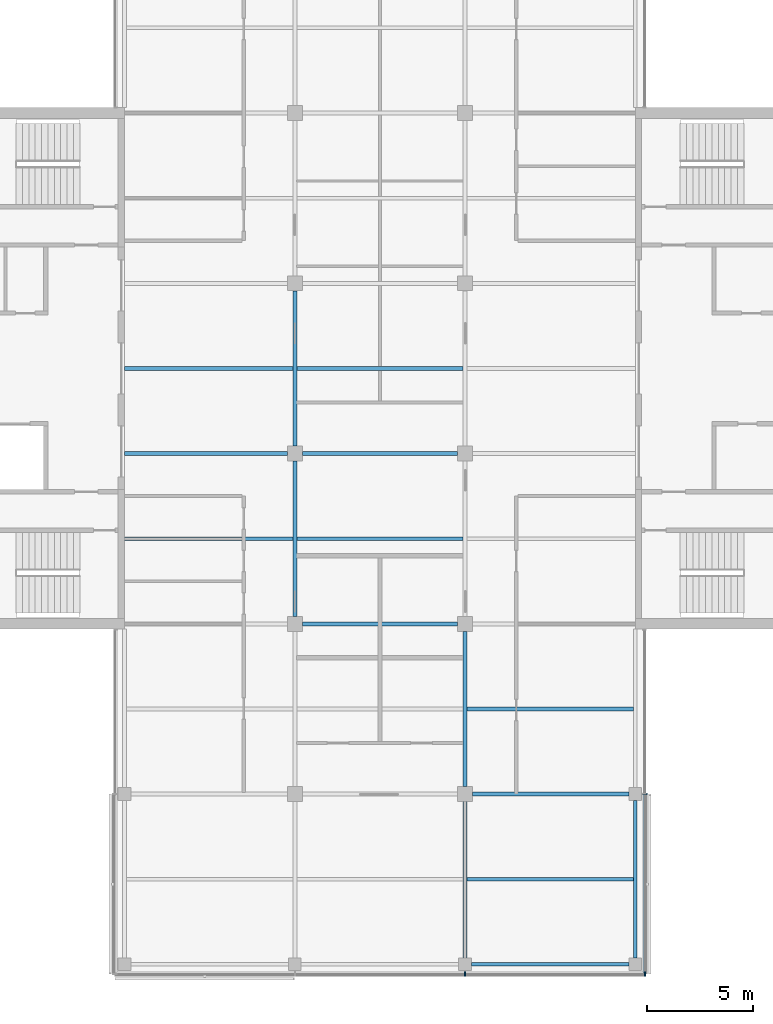
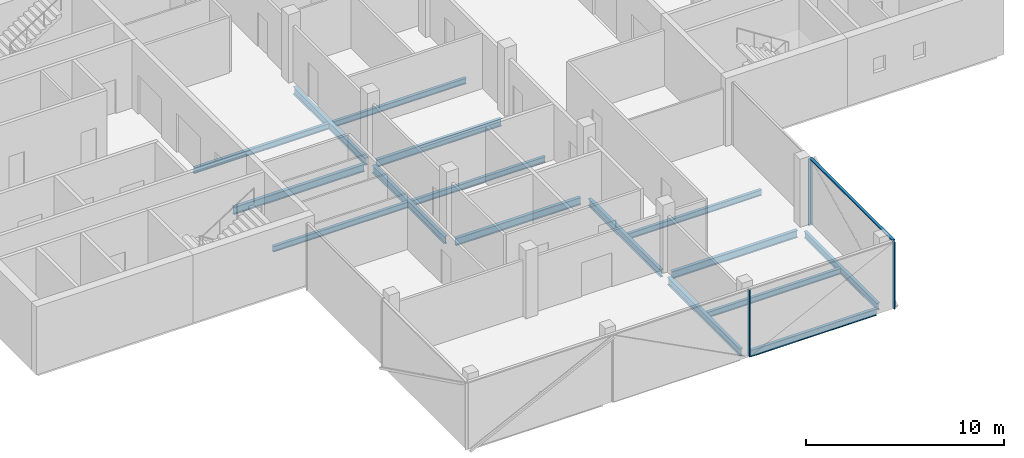
# One storey, part 3 of 16: 16 beams, 4 members, 2 elements without a shape of their own.
"""IFC4 building model written with IfcOpenShell, lengths in metres."""

from ifc_helpers import new_model, si_unit, direction, frame, origin, origin_2d, place, context, subcontext, project, spatial, rectangle, i_section, extrude, material, material_profile, profile_set, type_object, element, aggregate, save


model = new_model("IFC4")

# Units and contexts
model_context = context("Model", 3, precision=1e-05, world=origin(), true_north=direction((0.0, 1.0)))
body_context = subcontext(model_context, "Body", "Model", "MODEL_VIEW")
ifc_project = project(units=[si_unit("LENGTHUNIT", "METRE"), si_unit("AREAUNIT", "SQUARE_METRE"), si_unit("VOLUMEUNIT", "CUBIC_METRE"), si_unit("PLANEANGLEUNIT", "RADIAN"), si_unit("MASSUNIT", "GRAM", prefix="KILO")], contexts=[model_context])

# Site, building, storey
site_placement = place(None, origin())
site = spatial("IfcSite", under=ifc_project, at=site_placement, CompositionType="ELEMENT")
building_placement = place(site_placement, origin())
building = spatial("IfcBuilding", under=site, at=building_placement, Name="Crosswind Convention Tower", CompositionType="ELEMENT")
storey_placement = place(building_placement, frame((0.0, 0.0, 278.699951171875)))
storey = spatial("IfcBuildingStorey", under=building, at=storey_placement, Name="L60", CompositionType="ELEMENT", Elevation=278.699951171875)

# Beams
ifc_material_1 = material(Name="Steel S355", Category="steel")
ifc_material_profile_1 = material_profile(ifc_material_1, i_section(OverallWidth=0.177734375, OverallDepth=0.406494140625, WebThickness=0.0078125, FlangeThickness=0.0126953125, FilletRadius=0.01025390625, at=origin_2d()), Name="UB 406x178x60")
ifc_profile_set_1 = profile_set([ifc_material_profile_1], Name="Steel S355")
beam_type_1 = type_object("IfcBeamType", Name="Edge beam UB 406x178x60", PredefinedType="SPANDREL", material=ifc_profile_set_1)
for number, where, z_axis, x_axis, name in (
    (1, (129.300048828125, 72.0, -0.503173828125), (1.0, 0.0, 0.0), (0.0, 1.0, 0.0), "B15 L60 edge beam 9"),
    (2, (137.0, 72.300048828125, -0.503173828125), (0.0, 1.0, 0.0), (-1.0, 0.0, 0.0), "B15 L60 edge beam 11"),
):
    element("IfcBeam", number, at=place(storey_placement, frame(where, z_axis=z_axis, x_axis=x_axis)), inside=storey, type_object=beam_type_1, Name=name, PredefinedType="SPANDREL", context=body_context, shape_type="SweptSolid", body=[
        extrude(i_section(OverallWidth=0.177734375, OverallDepth=0.406494140625, WebThickness=0.0078125, FlangeThickness=0.0126953125, FilletRadius=0.01025390625, at=origin_2d()), origin(), (0.0, 0.0, 1.0), 7.39990234375),
    ])
ifc_material_profile_2 = material_profile(ifc_material_1, i_section(OverallWidth=0.18994140625, OverallDepth=0.45361328125, WebThickness=0.008544921875, FlangeThickness=0.0126953125, FilletRadius=0.01025390625, at=origin_2d()), Name="UB 457x191x67")
ifc_profile_set_2 = profile_set([ifc_material_profile_2], Name="Steel S355")
beam_type_2 = type_object("IfcBeamType", Name="Girder UB 457x191x67", PredefinedType="BEAM", material=ifc_profile_set_2)
for number, where, z_axis, x_axis, name in (
    (3, (121.0, 88.35009765625, -0.52685546875), (0.0, 1.0, 0.0), (-1.0, 0.0, 0.0), "B1 L60 girder 5"),
    (4, (121.0, 96.35009765625, -0.52685546875), (0.0, 1.0, 0.0), (-1.0, 0.0, 0.0), "B1 L60 girder 6"),
    (5, (121.35009765625, 88.0, -0.52685546875), (1.0, 0.0, 0.0), (0.0, 1.0, 0.0), "B1 L60 girder 11"),
    (6, (121.35009765625, 96.0, -0.52685546875), (1.0, 0.0, 0.0), (0.0, 1.0, 0.0), "B1 L60 girder 12"),
):
    element("IfcBeam", number, at=place(storey_placement, frame(where, z_axis=z_axis, x_axis=x_axis)), inside=storey, type_object=beam_type_2, Name=name, PredefinedType="BEAM", context=body_context, shape_type="SweptSolid", body=[
        extrude(i_section(OverallWidth=0.18994140625, OverallDepth=0.45361328125, WebThickness=0.008544921875, FlangeThickness=0.0126953125, FilletRadius=0.01025390625, at=origin_2d()), origin(), (0.0, 0.0, 1.0), 7.2998046875),
    ])
beam_1_placement = place(storey_placement, frame((129.0, 72.300048828125, -0.52685546875), z_axis=(0.0, 1.0, 0.0), x_axis=(-1.0, 0.0, 0.0)))
element("IfcBeam", 7, at=beam_1_placement, inside=storey, type_object=beam_type_2, Name="B1 L60 girder 16", PredefinedType="BEAM", context=body_context, shape_type="SweptSolid", body=[
    extrude(i_section(OverallWidth=0.18994140625, OverallDepth=0.45361328125, WebThickness=0.008544921875, FlangeThickness=0.0126953125, FilletRadius=0.01025390625, at=origin_2d()), origin(), (0.0, 0.0, 1.0), 7.349853515625),
])
beam_2_placement = place(storey_placement, frame((129.0, 80.35009765625, -0.52685546875), z_axis=(0.0, 1.0, 0.0), x_axis=(-1.0, 0.0, 0.0)))
element("IfcBeam", 8, at=beam_2_placement, inside=storey, type_object=beam_type_2, Name="B1 L60 girder 17", PredefinedType="BEAM", context=body_context, shape_type="SweptSolid", body=[
    extrude(i_section(OverallWidth=0.18994140625, OverallDepth=0.45361328125, WebThickness=0.008544921875, FlangeThickness=0.0126953125, FilletRadius=0.01025390625, at=origin_2d()), origin(), (0.0, 0.0, 1.0), 7.2998046875),
])
beam_3_placement = place(storey_placement, frame((129.35009765625, 80.0, -0.52685546875), z_axis=(1.0, 0.0, 0.0), x_axis=(0.0, 1.0, 0.0)))
element("IfcBeam", 9, at=beam_3_placement, inside=storey, type_object=beam_type_2, Name="B1 L60 girder 23", PredefinedType="BEAM", context=body_context, shape_type="SweptSolid", body=[
    extrude(i_section(OverallWidth=0.18994140625, OverallDepth=0.45361328125, WebThickness=0.008544921875, FlangeThickness=0.0126953125, FilletRadius=0.01025390625, at=origin_2d()), origin(), (0.0, 0.0, 1.0), 7.349853515625),
])
ifc_material_profile_3 = material_profile(ifc_material_1, i_section(OverallWidth=0.1904296875, OverallDepth=0.457275390625, WebThickness=0.009033203125, FlangeThickness=0.014404296875, FilletRadius=0.01025390625, at=origin_2d()), Name="UB 457x191x75")
ifc_profile_set_3 = profile_set([ifc_material_profile_3], Name="Steel S355")
beam_type_3 = type_object("IfcBeamType", Name="Girder at core wall UB 457x191x75", PredefinedType="BEAM", material=ifc_profile_set_3)
beam_4_placement = place(storey_placement, frame((113.0, 96.0, -0.528564453125), z_axis=(1.0, 0.0, 0.0), x_axis=(0.0, 1.0, 0.0)))
element("IfcBeam", 10, at=beam_4_placement, inside=storey, type_object=beam_type_3, Name="B22 L60 girder at core wall 2", PredefinedType="BEAM", context=body_context, shape_type="SweptSolid", body=[
    extrude(i_section(OverallWidth=0.1904296875, OverallDepth=0.457275390625, WebThickness=0.009033203125, FlangeThickness=0.014404296875, FilletRadius=0.01025390625, at=origin_2d()), origin(), (0.0, 0.0, 1.0), 7.64990234375),
])

# Curtain wall, members
ifc_material_2 = material(Name="Aluminium unitised curtain wall", Category="aluminium")
curtain_wall_type = type_object("IfcCurtainWallType", Name="OFFICE UNITISED WALL 220", PredefinedType="USERDEFINED", material=ifc_material_2)
curtain_wall_1_placement = place(storey_placement, origin())
curtain_wall_1 = element("IfcCurtainWall", 11, at=curtain_wall_1_placement, inside=storey, type_object=curtain_wall_type, Name="CW3 L60 S-TIP 1", ObjectType="UNITISED", PredefinedType="USERDEFINED")
ifc_material_3 = material(Name="Aluminium mullion", Category="aluminium")
ifc_material_profile_4 = material_profile(ifc_material_3, rectangle(XDim=0.219970703125, YDim=0.070068359375, at=origin_2d()), Name="AL 220X70")
ifc_profile_set_4 = profile_set([ifc_material_profile_4], Name="Aluminium mullion")
member_type_1 = type_object("IfcMemberType", Name="MULLION 70X220", PredefinedType="MULLION", material=ifc_profile_set_4)
member_1_placement = place(storey_placement, frame((129.0, 71.5400390625, -0.300048828125), z_axis=(0.0, 0.0, 1.0), x_axis=(0.0, -1.0, 0.0)))
member_1 = element("IfcMember", 12, at=member_1_placement, type_object=member_type_1, Name="CW3 mullion 3", PredefinedType="MULLION", context=body_context, shape_type="SweptSolid", body=[
    extrude(rectangle(XDim=0.219970703125, YDim=0.070068359375, at=origin_2d()), origin(), (0.0, 0.0, 1.0), 4.130126953125),
])
member_2_placement = place(storey_placement, frame((137.4599609375, 71.5400390625, -0.300048828125), z_axis=(0.0, 0.0, 1.0), x_axis=(0.0, -1.0, 0.0)))
member_2 = element("IfcMember", 13, at=member_2_placement, type_object=member_type_1, Name="CW3 mullion 4", PredefinedType="MULLION", context=body_context, shape_type="SweptSolid", body=[
    extrude(rectangle(XDim=0.219970703125, YDim=0.070068359375, at=origin_2d()), origin(), (0.0, 0.0, 1.0), 4.130126953125),
])
aggregate(curtain_wall_1, [member_1, member_2])

# Curtain wall, member
curtain_wall_2_placement = place(storey_placement, origin())
curtain_wall_2 = element("IfcCurtainWall", 14, at=curtain_wall_2_placement, inside=storey, type_object=curtain_wall_type, Name="CW3 L60 S-E 1", ObjectType="UNITISED", PredefinedType="USERDEFINED")
member_3_placement = place(storey_placement, frame((137.4599609375, 80.0, -0.300048828125), z_axis=(0.0, 0.0, 1.0), x_axis=(1.0, 0.0, 0.0)))
member_3 = element("IfcMember", 15, at=member_3_placement, type_object=member_type_1, Name="CW3 mullion 2", PredefinedType="MULLION", context=body_context, shape_type="SweptSolid", body=[
    extrude(rectangle(XDim=0.219970703125, YDim=0.070068359375, at=origin_2d()), origin(), (0.0, 0.0, 1.0), 4.130126953125),
])

# Beams
ifc_material_profile_5 = material_profile(ifc_material_1, i_section(OverallWidth=0.17138671875, OverallDepth=0.355712890625, WebThickness=0.00732421875, FlangeThickness=0.011474609375, FilletRadius=0.01025390625, at=origin_2d()), Name="UB 356x171x51")
ifc_profile_set_5 = profile_set([ifc_material_profile_5], Name="Steel S355")
beam_type_4 = type_object("IfcBeamType", Name="Secondary beam UB 356x171x51", PredefinedType="JOIST", material=ifc_profile_set_5)
for number, where, z_axis, x_axis, name in (
    (16, (113.0, 92.0, -0.477783203125), (1.0, 0.0, 0.0), (0.0, 1.0, 0.0), "B8 L60 secondary beam 1"),
    (17, (113.0, 100.0, -0.477783203125), (1.0, 0.0, 0.0), (0.0, 1.0, 0.0), "B8 L60 secondary beam 2"),
):
    element("IfcBeam", number, at=place(storey_placement, frame(where, z_axis=z_axis, x_axis=x_axis)), inside=storey, type_object=beam_type_4, Name=name, PredefinedType="JOIST", context=body_context, shape_type="SweptSolid", body=[
        extrude(i_section(OverallWidth=0.17138671875, OverallDepth=0.355712890625, WebThickness=0.00732421875, FlangeThickness=0.011474609375, FilletRadius=0.01025390625, at=origin_2d()), origin(), (0.0, 0.0, 1.0), 7.905029296875),
    ])
for number, where, z_axis, x_axis, name in (
    (18, (121.094970703125, 92.0, -0.477783203125), (1.0, 0.0, 0.0), (0.0, 1.0, 0.0), "B8 L60 secondary beam 10"),
    (19, (121.094970703125, 100.0, -0.477783203125), (1.0, 0.0, 0.0), (0.0, 1.0, 0.0), "B8 L60 secondary beam 11"),
):
    element("IfcBeam", number, at=place(storey_placement, frame(where, z_axis=z_axis, x_axis=x_axis)), inside=storey, type_object=beam_type_4, Name=name, PredefinedType="JOIST", context=body_context, shape_type="SweptSolid", body=[
        extrude(i_section(OverallWidth=0.17138671875, OverallDepth=0.355712890625, WebThickness=0.00732421875, FlangeThickness=0.011474609375, FilletRadius=0.01025390625, at=origin_2d()), origin(), (0.0, 0.0, 1.0), 7.81005859375),
    ])
for number, where, z_axis, x_axis, name in (
    (20, (129.094970703125, 76.0, -0.477783203125), (1.0, 0.0, 0.0), (0.0, 1.0, 0.0), "B8 L60 secondary beam 15"),
    (21, (129.094970703125, 84.0, -0.477783203125), (1.0, 0.0, 0.0), (0.0, 1.0, 0.0), "B8 L60 secondary beam 16"),
):
    element("IfcBeam", number, at=place(storey_placement, frame(where, z_axis=z_axis, x_axis=x_axis)), inside=storey, type_object=beam_type_4, Name=name, PredefinedType="JOIST", context=body_context, shape_type="SweptSolid", body=[
        extrude(i_section(OverallWidth=0.17138671875, OverallDepth=0.355712890625, WebThickness=0.00732421875, FlangeThickness=0.011474609375, FilletRadius=0.01025390625, at=origin_2d()), origin(), (0.0, 0.0, 1.0), 7.816162109375),
    ])

# Member
ifc_material_4 = material(Name="Aluminium transom", Category="aluminium")
ifc_material_profile_6 = material_profile(ifc_material_4, rectangle(XDim=0.159912109375, YDim=0.070068359375, at=origin_2d()), Name="AL 160X70")
ifc_profile_set_6 = profile_set([ifc_material_profile_6], Name="Aluminium transom")
member_type_2 = type_object("IfcMemberType", Name="TRANSOM 70X160", PredefinedType="USERDEFINED", material=ifc_profile_set_6)
member_4_placement = place(storey_placement, frame((137.4599609375, 71.574951171875, 3.864990234375), z_axis=(0.0, 1.0, 0.0), x_axis=(-1.0, 0.0, 0.0)))
member_4 = element("IfcMember", 22, at=member_4_placement, type_object=member_type_2, Name="CW3 transom", ObjectType="TRANSOM", PredefinedType="USERDEFINED", context=body_context, shape_type="SweptSolid", body=[
    extrude(rectangle(XDim=0.159912109375, YDim=0.070068359375, at=origin_2d()), origin(), (0.0, 0.0, 1.0), 8.39013671875),
])

aggregate(curtain_wall_2, [member_3, member_4])

save(model, "model.ifc")
